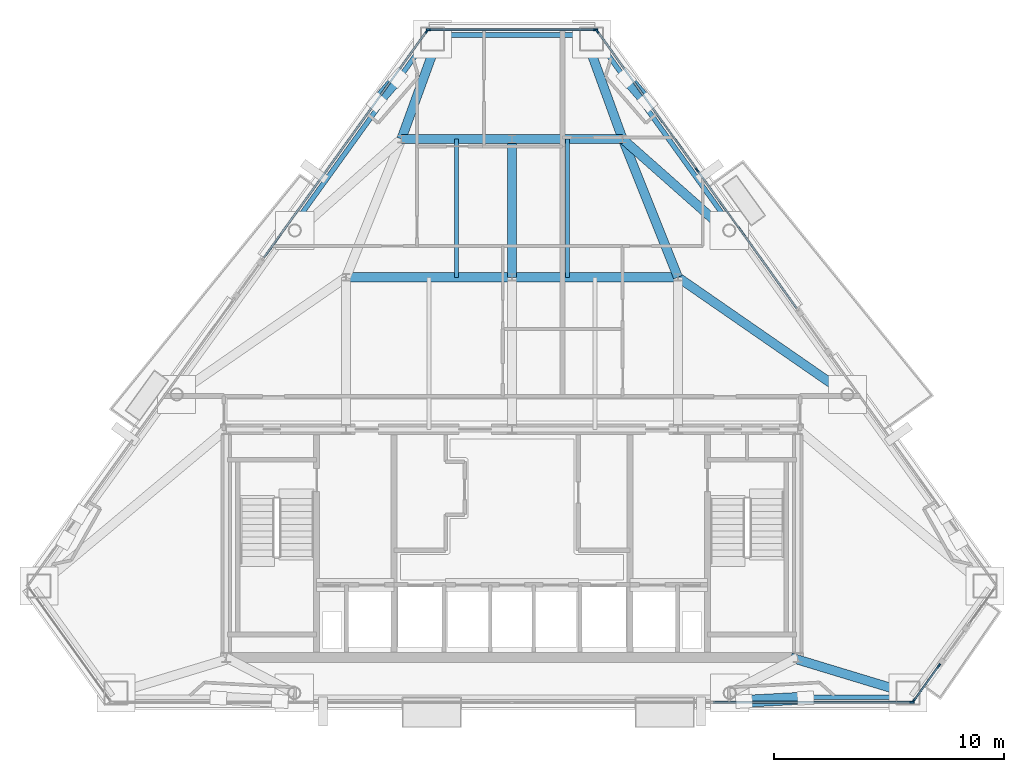
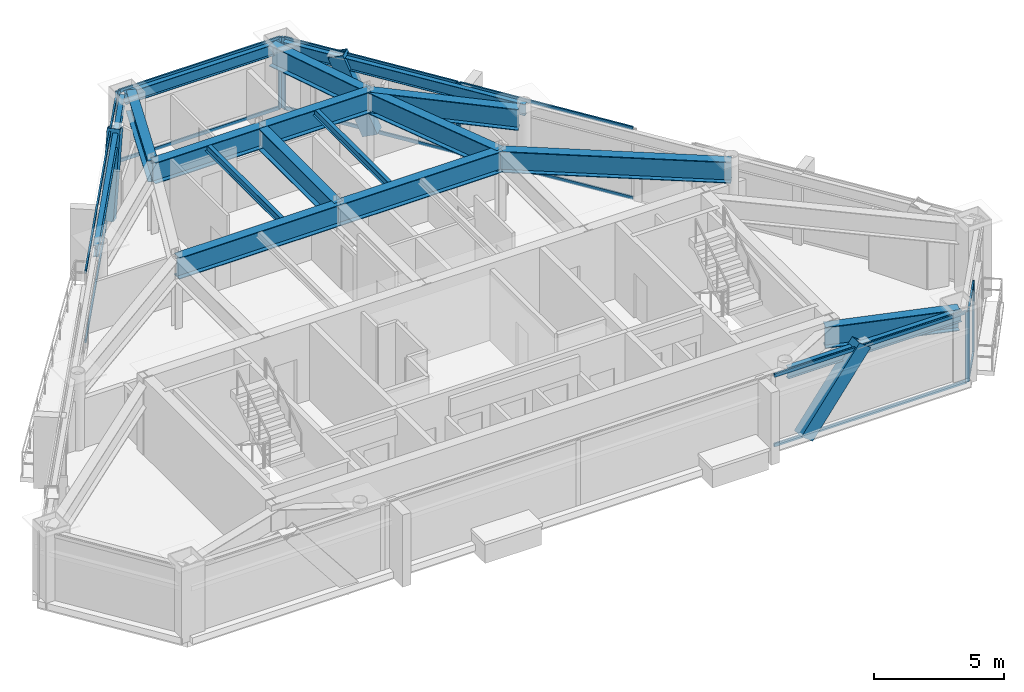
# One storey, part 4 of 11: 23 members, 17 beams, 5 elements without a shape of their own.
"""IFC4 building model written with IfcOpenShell, lengths in metres."""

from ifc_helpers import new_model, si_unit, direction, frame, origin, origin_2d, place, context, subcontext, project, spatial, rectangle, hollow_rectangle, i_section, extrude, material, layer, layer_set, material_profile, profile_set, type_object, element, aggregate, save


model = new_model("IFC4")

# Units and contexts
model_context = context("Model", 3, precision=1e-05, world=origin(), true_north=direction((0.0, 1.0)))
body_context = subcontext(model_context, "Body", "Model", "MODEL_VIEW")
ifc_project = project(units=[si_unit("LENGTHUNIT", "METRE"), si_unit("AREAUNIT", "SQUARE_METRE"), si_unit("VOLUMEUNIT", "CUBIC_METRE"), si_unit("PLANEANGLEUNIT", "RADIAN"), si_unit("MASSUNIT", "GRAM", prefix="KILO")], contexts=[model_context])

# Site, building, storey
site_placement = place(None, origin())
site = spatial("IfcSite", under=ifc_project, at=site_placement, CompositionType="ELEMENT")
building_placement = place(site_placement, origin())
building = spatial("IfcBuilding", under=site, at=building_placement, Name="Talgorran Terracotta Tower", CompositionType="ELEMENT")
storey_placement = place(building_placement, frame((0.0, 0.0, 200.10009765625)))
storey = spatial("IfcBuildingStorey", under=building, at=storey_placement, Name="L52", CompositionType="ELEMENT", Elevation=200.10009765625)

# Beams
ifc_material_1 = material(Name="Steel Grade 350 (350L0)", Category="steel")
ifc_material_profile_1 = material_profile(ifc_material_1, i_section(OverallWidth=0.39990234375, OverallDepth=1.0, WebThickness=0.01611328125, FlangeThickness=0.031005859375, at=origin_2d()), Name="1000WB296")
ifc_profile_set_1 = profile_set([ifc_material_profile_1], Name="Steel Grade 350 (350L0)")
beam_type_1 = type_object("IfcBeamType", Name="BM_1000WB296", PredefinedType="BEAM", material=ifc_profile_set_1)
beam_1_placement = place(storey_placement, frame((17.1796875, -15.64111328125, 2.844970703125), z_axis=(-0.956933067037, 0.290308637851, 0.0), x_axis=(-0.290308637851, -0.956933067037, 0.0)))
element("IfcBeam", 1, at=beam_1_placement, inside=storey, type_object=beam_type_1, Name="L52 Perimeter Step Girder 5", PredefinedType="BEAM", context=body_context, shape_type="SweptSolid", body=[
    extrude(i_section(OverallWidth=0.39990234375, OverallDepth=1.0, WebThickness=0.01611328125, FlangeThickness=0.031005859375, at=origin_2d()), origin(), (0.0, 0.0, 1.0), 5.30810546875),
])
for number, where, z_axis, x_axis, name in (
    (2, (3.14453125, 12.94970703125, 2.844970703125), (0.341933346836, -0.939724207585, 0.0), (0.939724207585, 0.341933346836, 0.0), "L52 Perimeter Step Girder 9B"),
    (3, (-3.14453125, 12.94970703125, 2.844970703125), (-0.341933346836, -0.939724207585, 0.0), (0.939724207585, -0.341933346836, 0.0), "L52 Perimeter Step Girder 10B"),
):
    element("IfcBeam", number, at=place(storey_placement, frame(where, z_axis=z_axis, x_axis=x_axis)), inside=storey, type_object=beam_type_1, Name=name, PredefinedType="BEAM", context=body_context, shape_type="SweptSolid", body=[
        extrude(i_section(OverallWidth=0.39990234375, OverallDepth=1.0, WebThickness=0.01611328125, FlangeThickness=0.031005859375, at=origin_2d()), origin(), (0.0, 0.0, 1.0), 4.841552734375),
    ])
for number, where, z_axis, x_axis, name in (
    (4, (-7.199951171875, 2.39990234375, 2.844970703125), (1.0, 0.0, 0.0), (0.0, 1.0, 0.0), "L52 Floor Girder G04"),
    (5, (0.0, 2.39990234375, 2.844970703125), (1.0, 0.0, 0.0), (0.0, 1.0, 0.0), "L52 Floor Girder G05"),
):
    element("IfcBeam", number, at=place(storey_placement, frame(where, z_axis=z_axis, x_axis=x_axis)), inside=storey, type_object=beam_type_1, Name=name, PredefinedType="BEAM", context=body_context, shape_type="SweptSolid", body=[
        extrude(i_section(OverallWidth=0.39990234375, OverallDepth=1.0, WebThickness=0.01611328125, FlangeThickness=0.031005859375, at=origin_2d()), origin(), (0.0, 0.0, 1.0), 7.199951171875),
    ])
beam_2_placement = place(storey_placement, frame((7.199951171875, 2.39990234375, 2.844970703125), z_axis=(0.822270856927, -0.569096334419, 0.0), x_axis=(0.569096334419, 0.822270856927, 0.0)))
element("IfcBeam", 6, at=beam_2_placement, inside=storey, type_object=beam_type_1, Name="L52 Floor Girder G07", PredefinedType="BEAM", context=body_context, shape_type="SweptSolid", body=[
    extrude(i_section(OverallWidth=0.39990234375, OverallDepth=1.0, WebThickness=0.01611328125, FlangeThickness=0.031005859375, at=origin_2d()), origin(), (0.0, 0.0, 1.0), 8.937255859375),
])
beam_3_placement = place(storey_placement, frame((0.0, 2.39990234375, 2.844970703125), z_axis=(0.0, 1.0, 0.0), x_axis=(-1.0, 0.0, 0.0)))
element("IfcBeam", 7, at=beam_3_placement, inside=storey, type_object=beam_type_1, Name="L52 Floor Girder G09", PredefinedType="BEAM", context=body_context, shape_type="SweptSolid", body=[
    extrude(i_section(OverallWidth=0.39990234375, OverallDepth=1.0, WebThickness=0.01611328125, FlangeThickness=0.031005859375, at=origin_2d()), origin(), (0.0, 0.0, 1.0), 6.0),
])
beam_4_placement = place(storey_placement, frame((7.199951171875, 2.39990234375, 2.844970703125), z_axis=(-0.371377648723, 0.928481901832, 0.0), x_axis=(-0.928481901832, -0.371377648723, 0.0)))
element("IfcBeam", 8, at=beam_4_placement, inside=storey, type_object=beam_type_1, Name="L52 Floor Girder G10", PredefinedType="BEAM", context=body_context, shape_type="SweptSolid", body=[
    extrude(i_section(OverallWidth=0.39990234375, OverallDepth=1.0, WebThickness=0.01611328125, FlangeThickness=0.031005859375, at=origin_2d()), origin(), (0.0, 0.0, 1.0), 6.462158203125),
])
for number, where, z_axis, x_axis, name in (
    (9, (-4.800048828125, 8.39990234375, 2.844970703125), (1.0, 0.0, 0.0), (0.0, 1.0, 0.0), "L52 Floor Girder G11"),
    (10, (0.0, 8.39990234375, 2.844970703125), (1.0, 0.0, 0.0), (0.0, 1.0, 0.0), "L52 Floor Girder G12"),
):
    element("IfcBeam", number, at=place(storey_placement, frame(where, z_axis=z_axis, x_axis=x_axis)), inside=storey, type_object=beam_type_1, Name=name, PredefinedType="BEAM", context=body_context, shape_type="SweptSolid", body=[
        extrude(i_section(OverallWidth=0.39990234375, OverallDepth=1.0, WebThickness=0.01611328125, FlangeThickness=0.031005859375, at=origin_2d()), origin(), (0.0, 0.0, 1.0), 4.800048828125),
    ])
beam_5_placement = place(storey_placement, frame((4.800048828125, 8.39990234375, 2.844970703125), z_axis=(0.748742442486, -0.662861037338, 0.0), x_axis=(0.662861037338, 0.748742442486, 0.0)))
element("IfcBeam", 11, at=beam_5_placement, inside=storey, type_object=beam_type_1, Name="L52 Floor Girder G14", PredefinedType="BEAM", context=body_context, shape_type="SweptSolid", body=[
    extrude(i_section(OverallWidth=0.39990234375, OverallDepth=1.0, WebThickness=0.01611328125, FlangeThickness=0.031005859375, at=origin_2d()), origin(), (0.0, 0.0, 1.0), 5.92431640625),
])
ifc_material_2 = material(Name="Steel S355 (300PLUS)", Category="steel")
ifc_material_profile_2 = material_profile(ifc_material_2, i_section(OverallWidth=0.17138671875, OverallDepth=0.355712890625, WebThickness=0.00732421875, FlangeThickness=0.011474609375, at=origin_2d()), Name="360UB50.7")
ifc_profile_set_2 = profile_set([ifc_material_profile_2], Name="Steel S355 (300PLUS)")
beam_type_2 = type_object("IfcBeamType", Name="BM_JS_360UB51", PredefinedType="JOIST", material=ifc_profile_set_2)
for number, where, z_axis, x_axis, name in (
    (12, (-2.39990234375, 2.39990234375, 3.1669921875), (0.0, 1.0, 0.0), (-1.0, 0.0, 0.0), "L52 Secondary Joist J03"),
    (13, (2.39990234375, 2.39990234375, 3.1669921875), (0.0, 1.0, 0.0), (-1.0, 0.0, 0.0), "L52 Secondary Joist J04"),
):
    element("IfcBeam", number, at=place(storey_placement, frame(where, z_axis=z_axis, x_axis=x_axis)), inside=storey, type_object=beam_type_2, Name=name, PredefinedType="JOIST", context=body_context, shape_type="SweptSolid", body=[
        extrude(i_section(OverallWidth=0.17138671875, OverallDepth=0.355712890625, WebThickness=0.00732421875, FlangeThickness=0.011474609375, at=origin_2d()), origin(), (0.0, 0.0, 1.0), 6.0),
    ])
ifc_material_profile_3 = material_profile(ifc_material_2, i_section(OverallWidth=0.209228515625, OverallDepth=0.532958984375, WebThickness=0.01025390625, FlangeThickness=0.015625, at=origin_2d()), Name="530UB92.4")
ifc_profile_set_3 = profile_set([ifc_material_profile_3], Name="Steel S355 (300PLUS)")
beam_type_3 = type_object("IfcBeamType", Name="BM_SP_530UB92", PredefinedType="SPANDREL", material=ifc_profile_set_3)
beam_6_placement = place(storey_placement, frame((9.44873046875, -15.821044921875, 3.078369140625), z_axis=(1.0, 0.0, 0.0), x_axis=(0.0, 1.0, 0.0)))
element("IfcBeam", 14, at=beam_6_placement, inside=storey, type_object=beam_type_3, Name="L52 Perimeter Spandrel Beam FC2-MC3", PredefinedType="SPANDREL", context=body_context, shape_type="SweptSolid", body=[
    extrude(i_section(OverallWidth=0.209228515625, OverallDepth=0.532958984375, WebThickness=0.01025390625, FlangeThickness=0.015625, at=origin_2d()), origin(), (0.0, 0.0, 1.0), 7.73095703125),
])
beam_7_placement = place(storey_placement, frame((9.573486328125, 4.5380859375, 3.078369140625), z_axis=(-0.583988509517, 0.811761923689, 0.0), x_axis=(-0.811761923689, -0.583988509517, 0.0)))
element("IfcBeam", 15, at=beam_7_placement, inside=storey, type_object=beam_type_3, Name="L52 Perimeter Spandrel Beam FC4-MC5", PredefinedType="SPANDREL", context=body_context, shape_type="SweptSolid", body=[
    extrude(i_section(OverallWidth=0.209228515625, OverallDepth=0.532958984375, WebThickness=0.01025390625, FlangeThickness=0.015625, at=origin_2d()), origin(), (0.0, 0.0, 1.0), 10.23193359375),
])
beam_8_placement = place(storey_placement, frame((3.4521484375, 12.918701171875, 3.078369140625), z_axis=(-1.0, 0.0, 0.0), x_axis=(0.0, -1.0, 0.0)))
element("IfcBeam", 16, at=beam_8_placement, inside=storey, type_object=beam_type_3, Name="L52 Perimeter Spandrel Beam MC5-MC6", PredefinedType="SPANDREL", context=body_context, shape_type="SweptSolid", body=[
    extrude(i_section(OverallWidth=0.209228515625, OverallDepth=0.532958984375, WebThickness=0.01025390625, FlangeThickness=0.015625, at=origin_2d()), origin(), (0.0, 0.0, 1.0), 6.904296875),
])
beam_9_placement = place(storey_placement, frame((-3.59814453125, 12.843994140625, 3.078369140625), z_axis=(-0.583988509517, -0.811761923689, 0.0), x_axis=(0.811761923689, -0.583988509517, 0.0)))
element("IfcBeam", 17, at=beam_9_placement, inside=storey, type_object=beam_type_3, Name="L52 Perimeter Spandrel Beam MC6-FC5", PredefinedType="SPANDREL", context=body_context, shape_type="SweptSolid", body=[
    extrude(i_section(OverallWidth=0.209228515625, OverallDepth=0.532958984375, WebThickness=0.01025390625, FlangeThickness=0.015625, at=origin_2d()), origin(), (0.0, 0.0, 1.0), 10.23193359375),
])

# Members
ifc_material_profile_4 = material_profile(ifc_material_1, hollow_rectangle(XDim=0.52001953125, YDim=0.659912109375, WallThickness=0.034912109375, at=origin_2d()), Name="WBOX660X520X35")
ifc_profile_set_4 = profile_set([ifc_material_profile_4], Name="Steel Grade 350 (350L0)")
member_type_1 = type_object("IfcMemberType", Name="MB_MEGA_660", PredefinedType="BRACE", material=ifc_profile_set_4)
member_1_placement = place(storey_placement, frame((10.0712890625, -16.001220703125, -0.025146484375), z_axis=(0.617715371926, 0.033448047213, 0.785690109028), x_axis=(-0.054068785357, 0.998537213353, 0.0)))
element("IfcMember", 18, at=member_1_placement, inside=storey, type_object=member_type_1, Name="L52 Exterior Face Mega-Brace MB-3 (SEF)", PredefinedType="BRACE", context=body_context, shape_type="SweptSolid", body=[
    extrude(hollow_rectangle(XDim=0.52001953125, YDim=0.659912109375, WallThickness=0.034912109375, at=origin_2d()), origin(), (0.0, 0.0, 1.0), 4.321044921875),
])
for number, where, z_axis, x_axis, name in (
    (19, (5.872314453125, 9.9912109375, -0.025146484375), (-0.250028216248, 0.287854872735, 0.924459552021), (-0.754969511738, -0.655759892297, 0.0), "L52 Exterior Face Mega-Brace MB-3 (NEU)"),
    (20, (-5.872314453125, 9.9912109375, -0.025146484375), (0.250028216248, 0.287854872735, 0.924459552021), (-0.754969511738, 0.655759892297, 0.0), "L52 Exterior Face Mega-Brace MB-3 (NWU)"),
):
    element("IfcMember", number, at=place(storey_placement, frame(where, z_axis=z_axis, x_axis=x_axis)), inside=storey, type_object=member_type_1, Name=name, PredefinedType="BRACE", context=body_context, shape_type="SweptSolid", body=[
        extrude(hollow_rectangle(XDim=0.52001953125, YDim=0.659912109375, WallThickness=0.034912109375, at=origin_2d()), origin(), (0.0, 0.0, 1.0), 3.67236328125),
    ])

# Curtain wall, member
ifc_material_3 = material(Name="High-Wind Unitised Glazing", Category="glass")
ifc_layer = layer(ifc_material_3, 0.2099609375, Name="CW_SYS3_RES_HIGH")
ifc_layer_set = layer_set([ifc_layer], Name="High-Wind Unitised Glazing")
curtain_wall_type = type_object("IfcCurtainWallType", Name="CW_SYS3_RES_HIGH", PredefinedType="NOTDEFINED", material=ifc_layer_set)
curtain_wall_1_placement = place(storey_placement, origin())
curtain_wall_1 = element("IfcCurtainWall", 21, at=curtain_wall_1_placement, inside=storey, type_object=curtain_wall_type, Name="CW-L52-F1", PredefinedType="NOTDEFINED")
ifc_material_4 = material(Name="Architectural Aluminium 6063-T6", Category="aluminium")
ifc_material_profile_5 = material_profile(ifc_material_4, rectangle(XDim=0.070068359375, YDim=0.199951171875, at=origin_2d()), Name="CWM70X200")
ifc_profile_set_5 = profile_set([ifc_material_profile_5], Name="Architectural Aluminium 6063-T6")
member_type_2 = type_object("IfcMemberType", Name="MUL_70X200", PredefinedType="MULLION", material=ifc_profile_set_5)
member_2_placement = place(storey_placement, frame((17.349609375, -16.041015625, 0.0), z_axis=(0.0, 0.0, 1.0), x_axis=(0.0, 1.0, 0.0)))
member_2 = element("IfcMember", 22, at=member_2_placement, type_object=member_type_2, Name="CW-L52-1 mullion 5", PredefinedType="MULLION", context=body_context, shape_type="SweptSolid", body=[
    extrude(rectangle(XDim=0.070068359375, YDim=0.199951171875, at=origin_2d()), origin(), (0.0, 0.0, 1.0), 3.344970703125),
])

# Curtain wall, members
curtain_wall_2_placement = place(storey_placement, origin())
curtain_wall_2 = element("IfcCurtainWall", 23, at=curtain_wall_2_placement, inside=storey, type_object=curtain_wall_type, Name="CW-L52-F30", PredefinedType="NOTDEFINED")
member_3_placement = place(storey_placement, frame((17.428466796875, -15.980224609375, 0.0), z_axis=(0.0, 0.0, 1.0), x_axis=(-0.811770568062, 0.583976493387, 0.0)))
member_3 = element("IfcMember", 24, at=member_3_placement, type_object=member_type_2, Name="CW-L52-30 mullion 1", PredefinedType="MULLION", context=body_context, shape_type="SweptSolid", body=[
    extrude(rectangle(XDim=0.070068359375, YDim=0.199951171875, at=origin_2d()), origin(), (0.0, 0.0, 1.0), 3.344970703125),
])
member_4_placement = place(storey_placement, frame((18.52197265625, -14.460205078125, 0.0), z_axis=(0.0, 0.0, 1.0), x_axis=(-0.811770568062, 0.583976493387, 0.0)))
member_4 = element("IfcMember", 25, at=member_4_placement, type_object=member_type_2, Name="CW-L52-30 mullion 2", PredefinedType="MULLION", context=body_context, shape_type="SweptSolid", body=[
    extrude(rectangle(XDim=0.070068359375, YDim=0.199951171875, at=origin_2d()), origin(), (0.0, 0.0, 1.0), 3.344970703125),
])

curtain_wall_3_placement = place(storey_placement, origin())
curtain_wall_3 = element("IfcCurtainWall", 26, at=curtain_wall_3_placement, inside=storey, type_object=curtain_wall_type, Name="CW-L52-F41", PredefinedType="NOTDEFINED")
member_5_placement = place(storey_placement, frame((8.034423828125, 7.05419921875, 0.0), z_axis=(0.0, 0.0, 1.0), x_axis=(-0.8117654038, -0.583983672027, 0.0)))
member_5 = element("IfcMember", 27, at=member_5_placement, type_object=member_type_2, Name="CW-L52-41 mullion 2", PredefinedType="MULLION", context=body_context, shape_type="SweptSolid", body=[
    extrude(rectangle(XDim=0.070068359375, YDim=0.199951171875, at=origin_2d()), origin(), (0.0, 0.0, 1.0), 3.344970703125),
])
member_6_placement = place(storey_placement, frame((3.700927734375, 13.077880859375, 0.0), z_axis=(0.0, 0.0, 1.0), x_axis=(-0.8117654038, -0.583983672027, 0.0)))
member_6 = element("IfcMember", 28, at=member_6_placement, type_object=member_type_2, Name="CW-L52-41 mullion 3", PredefinedType="MULLION", context=body_context, shape_type="SweptSolid", body=[
    extrude(rectangle(XDim=0.070068359375, YDim=0.199951171875, at=origin_2d()), origin(), (0.0, 0.0, 1.0), 3.344970703125),
])

curtain_wall_4_placement = place(storey_placement, origin())
curtain_wall_4 = element("IfcCurtainWall", 29, at=curtain_wall_4_placement, inside=storey, type_object=curtain_wall_type, Name="CW-L52-F4", PredefinedType="NOTDEFINED")
member_7_placement = place(storey_placement, frame((3.6220703125, 13.138916015625, 0.0), z_axis=(0.0, 0.0, 1.0), x_axis=(0.0, -1.0, 0.0)))
member_7 = element("IfcMember", 30, at=member_7_placement, type_object=member_type_2, Name="CW-L52-4 mullion 1", PredefinedType="MULLION", context=body_context, shape_type="SweptSolid", body=[
    extrude(rectangle(XDim=0.070068359375, YDim=0.199951171875, at=origin_2d()), origin(), (0.0, 0.0, 1.0), 3.344970703125),
])
member_8_placement = place(storey_placement, frame((-3.6220703125, 13.138916015625, 0.0), z_axis=(0.0, 0.0, 1.0), x_axis=(0.0, -1.0, 0.0)))
member_8 = element("IfcMember", 31, at=member_8_placement, type_object=member_type_2, Name="CW-L52-4 mullion 2", PredefinedType="MULLION", context=body_context, shape_type="SweptSolid", body=[
    extrude(rectangle(XDim=0.070068359375, YDim=0.199951171875, at=origin_2d()), origin(), (0.0, 0.0, 1.0), 3.344970703125),
])

# Curtain wall, member
curtain_wall_5_placement = place(storey_placement, origin())
curtain_wall_5 = element("IfcCurtainWall", 32, at=curtain_wall_5_placement, inside=storey, type_object=curtain_wall_type, Name="CW-L52-F60", PredefinedType="NOTDEFINED")
member_9_placement = place(storey_placement, frame((-3.700927734375, 13.077880859375, 0.0), z_axis=(0.0, 0.0, 1.0), x_axis=(0.811763841153, -0.583985844174, 0.0)))
member_9 = element("IfcMember", 33, at=member_9_placement, type_object=member_type_2, Name="CW-L52-60 mullion 1", PredefinedType="MULLION", context=body_context, shape_type="SweptSolid", body=[
    extrude(rectangle(XDim=0.070068359375, YDim=0.199951171875, at=origin_2d()), origin(), (0.0, 0.0, 1.0), 3.344970703125),
])

# Member
ifc_material_profile_6 = material_profile(ifc_material_4, rectangle(XDim=0.070068359375, YDim=0.159912109375, at=origin_2d()), Name="CWT70X160")
ifc_profile_set_6 = profile_set([ifc_material_profile_6], Name="Architectural Aluminium 6063-T6")
member_type_3 = type_object("IfcMemberType", Name="TRN_70X160", PredefinedType="USERDEFINED", material=ifc_profile_set_6)
member_10_placement = place(storey_placement, frame((8.727294921875, -16.041015625, 0.034912109375), z_axis=(1.0, 0.0, 0.0), x_axis=(0.0, 1.0, 0.0)))
member_10 = element("IfcMember", 34, at=member_10_placement, type_object=member_type_3, Name="CW-L52-1 transom 4.1", ObjectType="TRANSOM", PredefinedType="USERDEFINED", context=body_context, shape_type="SweptSolid", body=[
    extrude(rectangle(XDim=0.070068359375, YDim=0.159912109375, at=origin_2d()), origin(), (0.0, 0.0, 1.0), 8.58740234375),
])

member_11_placement = place(storey_placement, frame((8.727294921875, -16.041015625, 3.309814453125), z_axis=(1.0, 0.0, 0.0), x_axis=(0.0, 1.0, 0.0)))
member_11 = element("IfcMember", 35, at=member_11_placement, type_object=member_type_3, Name="CW-L52-1 transom 4.2", ObjectType="TRANSOM", PredefinedType="USERDEFINED", context=body_context, shape_type="SweptSolid", body=[
    extrude(rectangle(XDim=0.070068359375, YDim=0.159912109375, at=origin_2d()), origin(), (0.0, 0.0, 1.0), 8.58740234375),
])

aggregate(curtain_wall_1, [member_2, member_10, member_11])

member_12_placement = place(storey_placement, frame((17.448974609375, -15.95166015625, 0.034912109375), z_axis=(0.584040654846, 0.81172440735, 0.0), x_axis=(-0.81172440735, 0.584040654846, 0.0)))
member_12 = element("IfcMember", 36, at=member_12_placement, type_object=member_type_3, Name="CW-L52-30 transom 1.1", ObjectType="TRANSOM", PredefinedType="USERDEFINED", context=body_context, shape_type="SweptSolid", body=[
    extrude(rectangle(XDim=0.070068359375, YDim=0.159912109375, at=origin_2d()), origin(), (0.0, 0.0, 1.0), 1.802490234375),
])

member_13_placement = place(storey_placement, frame((17.448974609375, -15.95166015625, 3.309814453125), z_axis=(0.584040654846, 0.81172440735, 0.0), x_axis=(-0.81172440735, 0.584040654846, 0.0)))
member_13 = element("IfcMember", 37, at=member_13_placement, type_object=member_type_3, Name="CW-L52-30 transom 1.2", ObjectType="TRANSOM", PredefinedType="USERDEFINED", context=body_context, shape_type="SweptSolid", body=[
    extrude(rectangle(XDim=0.070068359375, YDim=0.159912109375, at=origin_2d()), origin(), (0.0, 0.0, 1.0), 1.802490234375),
])

aggregate(curtain_wall_2, [member_3, member_4, member_12, member_13])

member_14_placement = place(storey_placement, frame((12.347412109375, 1.058837890625, 0.034912109375), z_axis=(-0.583980932231, 0.8117673748, 0.0), x_axis=(-0.8117673748, -0.583980932231, 0.0)))
member_14 = element("IfcMember", 38, at=member_14_placement, type_object=member_type_3, Name="CW-L52-41 transom 1.1", ObjectType="TRANSOM", PredefinedType="USERDEFINED", context=body_context, shape_type="SweptSolid", body=[
    extrude(rectangle(XDim=0.070068359375, YDim=0.159912109375, at=origin_2d()), origin(), (0.0, 0.0, 1.0), 7.350341796875),
])

member_15_placement = place(storey_placement, frame((12.347412109375, 1.058837890625, 3.309814453125), z_axis=(-0.583980932231, 0.8117673748, 0.0), x_axis=(-0.8117673748, -0.583980932231, 0.0)))
member_15 = element("IfcMember", 39, at=member_15_placement, type_object=member_type_3, Name="CW-L52-41 transom 1.2", ObjectType="TRANSOM", PredefinedType="USERDEFINED", context=body_context, shape_type="SweptSolid", body=[
    extrude(rectangle(XDim=0.070068359375, YDim=0.159912109375, at=origin_2d()), origin(), (0.0, 0.0, 1.0), 7.350341796875),
])

member_16_placement = place(storey_placement, frame((8.013916015625, 7.08251953125, 0.034912109375), z_axis=(-0.583965186894, 0.811778701677, 0.0), x_axis=(-0.811778701677, -0.583965186894, 0.0)))
member_16 = element("IfcMember", 40, at=member_16_placement, type_object=member_type_3, Name="CW-L52-41 transom 2.1", ObjectType="TRANSOM", PredefinedType="USERDEFINED", context=body_context, shape_type="SweptSolid", body=[
    extrude(rectangle(XDim=0.070068359375, YDim=0.159912109375, at=origin_2d()), origin(), (0.0, 0.0, 1.0), 7.3505859375),
])

member_17_placement = place(storey_placement, frame((8.013916015625, 7.08251953125, 3.309814453125), z_axis=(-0.583965186894, 0.811778701677, 0.0), x_axis=(-0.811778701677, -0.583965186894, 0.0)))
member_17 = element("IfcMember", 41, at=member_17_placement, type_object=member_type_3, Name="CW-L52-41 transom 2.2", ObjectType="TRANSOM", PredefinedType="USERDEFINED", context=body_context, shape_type="SweptSolid", body=[
    extrude(rectangle(XDim=0.070068359375, YDim=0.159912109375, at=origin_2d()), origin(), (0.0, 0.0, 1.0), 7.3505859375),
])

aggregate(curtain_wall_3, [member_5, member_6, member_14, member_15, member_16, member_17])

member_18_placement = place(storey_placement, frame((3.587158203125, 13.138916015625, 0.034912109375), z_axis=(-1.0, 0.0, 0.0), x_axis=(0.0, -1.0, 0.0)))
member_18 = element("IfcMember", 42, at=member_18_placement, type_object=member_type_3, Name="CW-L52-4 transom 1.1", ObjectType="TRANSOM", PredefinedType="USERDEFINED", context=body_context, shape_type="SweptSolid", body=[
    extrude(rectangle(XDim=0.070068359375, YDim=0.159912109375, at=origin_2d()), origin(), (0.0, 0.0, 1.0), 7.17431640625),
])

member_19_placement = place(storey_placement, frame((3.587158203125, 13.138916015625, 3.309814453125), z_axis=(-1.0, 0.0, 0.0), x_axis=(0.0, -1.0, 0.0)))
member_19 = element("IfcMember", 43, at=member_19_placement, type_object=member_type_3, Name="CW-L52-4 transom 1.2", ObjectType="TRANSOM", PredefinedType="USERDEFINED", context=body_context, shape_type="SweptSolid", body=[
    extrude(rectangle(XDim=0.070068359375, YDim=0.159912109375, at=origin_2d()), origin(), (0.0, 0.0, 1.0), 7.17431640625),
])

aggregate(curtain_wall_4, [member_7, member_8, member_18, member_19])

member_20_placement = place(storey_placement, frame((-3.721435546875, 13.049560546875, 0.034912109375), z_axis=(-0.583985863965, -0.811763826916, 0.0), x_axis=(0.811763826916, -0.583985863965, 0.0)))
member_20 = element("IfcMember", 44, at=member_20_placement, type_object=member_type_3, Name="CW-L52-60 transom 1.1", ObjectType="TRANSOM", PredefinedType="USERDEFINED", context=body_context, shape_type="SweptSolid", body=[
    extrude(rectangle(XDim=0.070068359375, YDim=0.159912109375, at=origin_2d()), origin(), (0.0, 0.0, 1.0), 12.0634765625),
])

member_21_placement = place(storey_placement, frame((-3.721435546875, 13.049560546875, 3.309814453125), z_axis=(-0.583985863965, -0.811763826916, 0.0), x_axis=(0.811763826916, -0.583985863965, 0.0)))
member_21 = element("IfcMember", 45, at=member_21_placement, type_object=member_type_3, Name="CW-L52-60 transom 1.2", ObjectType="TRANSOM", PredefinedType="USERDEFINED", context=body_context, shape_type="SweptSolid", body=[
    extrude(rectangle(XDim=0.070068359375, YDim=0.159912109375, at=origin_2d()), origin(), (0.0, 0.0, 1.0), 12.0634765625),
])

aggregate(curtain_wall_5, [member_9, member_20, member_21])

save(model, "model.ifc")
